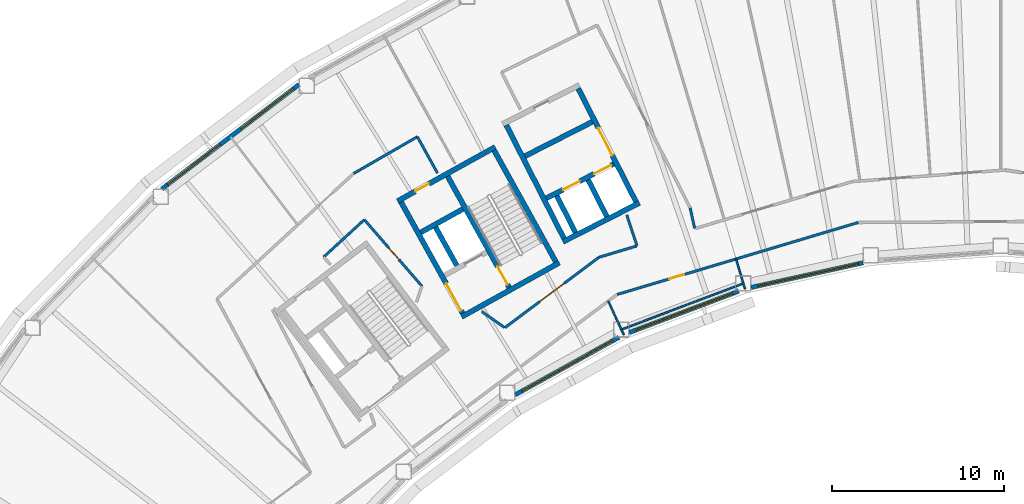
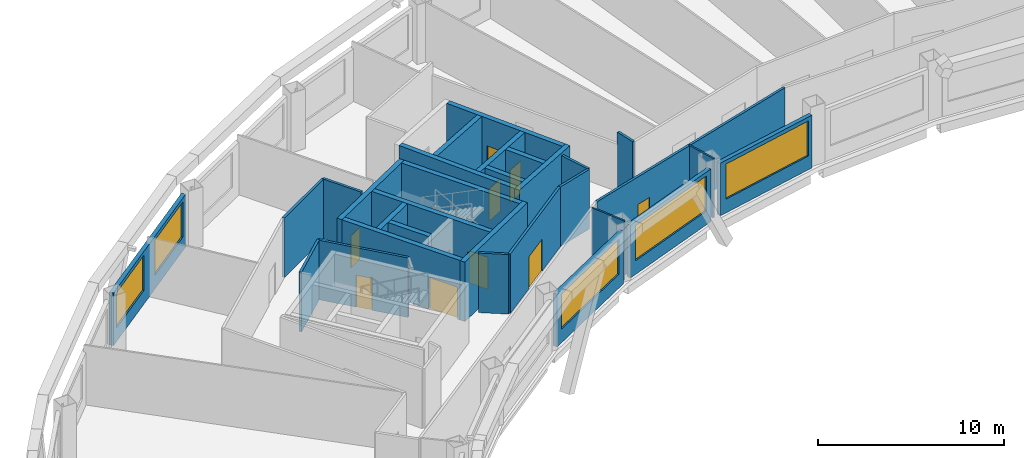
# One storey, part 6 of 16: 31 walls, 9 doors, 5 windows, 14 openings.
"""IFC4 building model written with IfcOpenShell, lengths in metres."""

from ifc_helpers import new_model, si_unit, direction, frame, frame_2d, origin, place, context, subcontext, project, spatial, rectangle, extrude, material, layer, layer_set, type_object, element, fill, save


model = new_model("IFC4")

# Units and contexts
model_context = context("Model", 3, precision=1e-05, world=origin(), true_north=direction((0.0, 1.0)))
body_context = subcontext(model_context, "Body", "Model", "MODEL_VIEW")
ifc_project = project(units=[si_unit("LENGTHUNIT", "METRE"), si_unit("AREAUNIT", "SQUARE_METRE"), si_unit("VOLUMEUNIT", "CUBIC_METRE"), si_unit("PLANEANGLEUNIT", "RADIAN"), si_unit("MASSUNIT", "GRAM", prefix="KILO")], contexts=[model_context])

# Site, building, storey
site_placement = place(None, origin())
site = spatial("IfcSite", under=ifc_project, at=site_placement, CompositionType="ELEMENT")
building_placement = place(site_placement, origin())
building = spatial("IfcBuilding", under=site, at=building_placement, Name="Tuul Gate Civic Tower", CompositionType="ELEMENT")
storey_placement = place(building_placement, frame((0.0, 0.0, 184.699951171875)))
storey = spatial("IfcBuildingStorey", under=building, at=storey_placement, Name="Level 42", CompositionType="ELEMENT", Elevation=184.699951171875)

# Walls
ifc_material_1 = material(Name="Concrete C50/60", Category="concrete")
ifc_layer_1 = layer(ifc_material_1, 0.300048828125)
ifc_layer_set_1 = layer_set([ifc_layer_1], Name="Concrete C50/60")
wall_type_1 = type_object("IfcWallType", Name="Core wall C50/60", PredefinedType="SHEAR", material=ifc_layer_set_1)
wall_1_placement = place(storey_placement, frame((-24.711669921875, -8.7158203125, 0.0), z_axis=(0.0, 0.0, 1.0), x_axis=(-0.874629909008, -0.484791215132, 0.0)))
element("IfcWall", 1, at=wall_1_placement, inside=storey, type_object=wall_type_1, Name="Core wall", PredefinedType="SHEAR", context=body_context, shape_type="SweptSolid", body=[
    extrude(rectangle(XDim=6.5, YDim=0.300048828125, at=frame_2d((3.25, 0.0))), origin(), (0.0, 0.0, 1.0), 3.900146484375),
])
wall_2_placement = place(storey_placement, frame((-30.327392578125, -5.59716796875, 0.0), z_axis=(0.0, 0.0, 1.0), x_axis=(-0.874629840737, -0.484791338301, 0.0)))
element("IfcWall", 2, at=wall_2_placement, inside=storey, type_object=wall_type_1, Name="Core wall", PredefinedType="SHEAR", context=body_context, shape_type="SweptSolid", body=[
    extrude(rectangle(XDim=2.800048828125, YDim=0.300048828125, at=frame_2d((1.39990234375, 0.0))), origin(), (0.0, 0.0, 1.0), 3.900146484375),
])

# Wall, opening, door
wall_3_placement = place(storey_placement, frame((-28.4443359375, -1.98095703125, 0.0), z_axis=(0.0, 0.0, 1.0), x_axis=(-0.874629909008, -0.484791215132, 0.0)))
wall_3 = element("IfcWall", 3, at=wall_3_placement, inside=storey, type_object=wall_type_1, Name="Core wall", PredefinedType="SHEAR", context=body_context, shape_type="SweptSolid", body=[
    extrude(rectangle(XDim=6.5, YDim=0.300048828125, at=frame_2d((3.25, 0.0))), origin(), (0.0, 0.0, 1.0), 3.900146484375),
])
opening_1_placement = place(wall_3_placement, frame((4.425048828125, 0.0, 0.0)))
opening_1 = element("IfcOpeningElement", 4, at=opening_1_placement, cuts=wall_3, Name="Opening O-D26", PredefinedType="OPENING", context=body_context, shape_type="SweptSolid", body=[
    extrude(rectangle(XDim=0.89990234375, YDim=2.10009765625, at=frame_2d((0.449951171875, 1.050048828125))), frame((0.0, 0.16015625, 0.0), z_axis=(0.0, -1.0, 0.0), x_axis=(1.0, 0.0, 0.0)), (0.0, 0.0, 1.0), 0.320068359375),
])
ifc_material_2 = material(Name="Timber door leaf", Category="wood")
door_type_1 = type_object("IfcDoorType", Name="Door D09", OperationType="NOTDEFINED", PredefinedType="DOOR", material=ifc_material_2)
door_1_placement = place(opening_1_placement, origin())
door_1 = element("IfcDoor", 5, at=door_1_placement, inside=storey, type_object=door_type_1, Name="Door O-D26", OperationType="SINGLE_SWING_LEFT", OverallHeight=2.10009765625, OverallWidth=0.89990234375, PredefinedType="DOOR", context=body_context, shape_type="SweptSolid", body=[
    extrude(rectangle(XDim=0.89990234375, YDim=2.10009765625, at=frame_2d((0.449951171875, 1.050048828125))), frame((0.0, 0.02490234375, 0.0), z_axis=(0.0, -1.0, 0.0), x_axis=(1.0, 0.0, 0.0)), (0.0, 0.0, 1.0), 0.050048828125),
])
fill(opening_1, door_1)

# Wall
wall_4_placement = place(storey_placement, frame((-24.91552734375, -8.6572265625, 0.0), z_axis=(0.0, 0.0, 1.0), x_axis=(-0.484777133038, 0.874637714304, 0.0)))
element("IfcWall", 6, at=wall_4_placement, inside=storey, type_object=wall_type_1, Name="Core wall", PredefinedType="SHEAR", context=body_context, shape_type="SweptSolid", body=[
    extrude(rectangle(XDim=7.400146484375, YDim=0.300048828125, at=frame_2d((3.7001953125, 0.0))), origin(), (0.0, 0.0, 1.0), 3.900146484375),
])

# Wall, opening, door
wall_5_placement = place(storey_placement, frame((-27.626953125, -10.16015625, 0.0), z_axis=(0.0, 0.0, 1.0), x_axis=(-0.484751894226, 0.874651702704, 0.0)))
wall_5 = element("IfcWall", 7, at=wall_5_placement, inside=storey, type_object=wall_type_1, Name="Core wall", PredefinedType="SHEAR", context=body_context, shape_type="SweptSolid", body=[
    extrude(rectangle(XDim=7.39990234375, YDim=0.300048828125, at=frame_2d((3.699951171875, 0.0))), origin(), (0.0, 0.0, 1.0), 3.900146484375),
])
opening_2_placement = place(wall_5_placement, frame((0.199951171875, 0.0, 0.0)))
opening_2 = element("IfcOpeningElement", 8, at=opening_2_placement, cuts=wall_5, Name="Opening SD-ST-2", PredefinedType="OPENING", context=body_context, shape_type="SweptSolid", body=[
    extrude(rectangle(XDim=1.199951171875, YDim=2.10009765625, at=frame_2d((0.60009765625, 1.050048828125))), frame((0.0, 0.16015625, 0.0), z_axis=(0.0, -1.0, 0.0), x_axis=(1.0, 0.0, 0.0)), (0.0, 0.0, 1.0), 0.320068359375),
])
ifc_material_3 = material(Name="Steel", Category="steel")
door_type_2 = type_object("IfcDoorType", Name="Stair door", OperationType="NOTDEFINED", PredefinedType="DOOR", material=ifc_material_3)
door_2_placement = place(opening_2_placement, origin())
door_2 = element("IfcDoor", 9, at=door_2_placement, inside=storey, type_object=door_type_2, Name="Stair door ST-2", OperationType="SINGLE_SWING_LEFT", OverallHeight=2.10009765625, OverallWidth=1.199951171875, PredefinedType="DOOR", context=body_context, shape_type="SweptSolid", body=[
    extrude(rectangle(XDim=1.199951171875, YDim=2.10009765625, at=frame_2d((0.60009765625, 1.050048828125))), frame((0.0, 0.02490234375, 0.0), z_axis=(0.0, -1.0, 0.0), x_axis=(1.0, 0.0, 0.0)), (0.0, 0.0, 1.0), 0.050048828125),
])
fill(opening_2, door_2)

# Wall
wall_6_placement = place(storey_placement, frame((-30.680419921875, -8.8798828125, 0.0), z_axis=(0.0, 0.0, 1.0), x_axis=(-0.484724115216, 0.874667097888, 0.0)))
element("IfcWall", 10, at=wall_6_placement, inside=storey, type_object=wall_type_1, Name="Core wall", PredefinedType="SHEAR", context=body_context, shape_type="SweptSolid", body=[
    extrude(rectangle(XDim=2.550048828125, YDim=0.300048828125, at=frame_2d((1.27490234375, 0.0))), origin(), (0.0, 0.0, 1.0), 3.900146484375),
])

# Wall, opening, door
wall_7_placement = place(storey_placement, frame((-30.33837890625, -11.6630859375, 0.0), z_axis=(0.0, 0.0, 1.0), x_axis=(-0.484751894226, 0.874651702704, 0.0)))
wall_7 = element("IfcWall", 11, at=wall_7_placement, inside=storey, type_object=wall_type_1, Name="Core wall", PredefinedType="SHEAR", context=body_context, shape_type="SweptSolid", body=[
    extrude(rectangle(XDim=7.39990234375, YDim=0.300048828125, at=frame_2d((3.699951171875, 0.0))), origin(), (0.0, 0.0, 1.0), 3.900146484375),
])
opening_3_placement = place(wall_7_placement, frame((0.175048828125, 0.0, 0.0)))
opening_3 = element("IfcOpeningElement", 12, at=opening_3_placement, cuts=wall_7, Name="Opening LB-W2-FLOBBY-1", PredefinedType="OPENING", context=body_context, shape_type="SweptSolid", body=[
    extrude(rectangle(XDim=1.800048828125, YDim=2.10009765625, at=frame_2d((0.89990234375, 1.050048828125))), frame((0.0, 0.16015625, 0.0), z_axis=(0.0, -1.0, 0.0), x_axis=(1.0, 0.0, 0.0)), (0.0, 0.0, 1.0), 0.320068359375),
])
ifc_material_4 = material(Name="Steel", Category="steel")
door_type_3 = type_object("IfcDoorType", Name="Lobby door", OperationType="DOUBLE_DOOR_SINGLE_SWING", PredefinedType="DOOR", material=ifc_material_4)
door_3_placement = place(opening_3_placement, frame((1.800048828125, 0.0, 0.0), z_axis=(0.0, 0.0, 1.0), x_axis=(-1.0, 0.0, 0.0)))
door_3 = element("IfcDoor", 13, at=door_3_placement, inside=storey, type_object=door_type_3, Name="Lobby door W2-FLOBBY", OperationType="DOUBLE_DOOR_SINGLE_SWING", OverallHeight=2.10009765625, OverallWidth=1.800048828125, PredefinedType="DOOR", context=body_context, shape_type="SweptSolid", body=[
    extrude(rectangle(XDim=1.800048828125, YDim=2.10009765625, at=frame_2d((0.900146484375, 1.050048828125))), frame((0.0, 0.02490234375, 0.0), z_axis=(0.0, -1.0, 0.0), x_axis=(1.0, 0.0, 0.0)), (0.0, 0.0, 1.0), 0.050048828125),
])
fill(opening_3, door_3)

# Walls
ifc_material_5 = material(Name="Gypsum board partition")
ifc_layer_2 = layer(ifc_material_5, 0.14990234375)
ifc_layer_set_2 = layer_set([ifc_layer_2], Name="Gypsum board partition")
wall_type_2 = type_object("IfcWallType", Name="Corridor wall P150", PredefinedType="PARTITIONING", material=ifc_layer_set_2)
wall_8_placement = place(storey_placement, frame((-22.3984375, -8.3994140625, 0.0), z_axis=(0.0, 0.0, 1.0), x_axis=(0.958110373466, 0.286399218323, 0.0)))
element("IfcWall", 14, at=wall_8_placement, inside=storey, type_object=wall_type_2, Name="p038", PredefinedType="PARTITIONING", context=body_context, shape_type="SweptSolid", body=[
    extrude(rectangle(XDim=2.29052734375, YDim=0.14990234375, at=frame_2d((1.145263671875, 0.0))), origin(), (0.0, 0.0, 1.0), 3.900146484375),
])
wall_9_placement = place(storey_placement, frame((-17.09326171875, -5.527099609375, 0.0), z_axis=(0.0, 0.0, 1.0), x_axis=(0.214248284718, -0.976779234267, 0.0)))
element("IfcWall", 15, at=wall_9_placement, inside=storey, type_object=wall_type_2, Name="p043", PredefinedType="PARTITIONING", context=body_context, shape_type="SweptSolid", body=[
    extrude(rectangle(XDim=1.21484375, YDim=0.14990234375, at=frame_2d((0.607421875, 0.0))), origin(), (0.0, 0.0, 1.0), 3.900146484375),
])
wall_10_placement = place(storey_placement, frame((-20.781005859375, -5.94189453125, 0.0), z_axis=(0.0, 0.0, 1.0), x_axis=(0.315405870294, -0.948956867821, 0.0)))
element("IfcWall", 16, at=wall_10_placement, inside=storey, type_object=wall_type_2, Name="p048", PredefinedType="PARTITIONING", context=body_context, shape_type="SweptSolid", body=[
    extrude(rectangle(XDim=1.87158203125, YDim=0.14990234375, at=frame_2d((0.935791015625, 0.0))), origin(), (0.0, 0.0, 1.0), 3.900146484375),
])

# Wall, opening, door
wall_11_placement = place(storey_placement, frame((-27.875, -12.496337890625, 0.0), z_axis=(0.0, 0.0, 1.0), x_axis=(0.800736165512, 0.599017189437, 0.0)))
wall_11 = element("IfcWall", 17, at=wall_11_placement, inside=storey, type_object=wall_type_2, Name="p051", PredefinedType="PARTITIONING", context=body_context, shape_type="SweptSolid", body=[
    extrude(rectangle(XDim=6.83935546875, YDim=0.14990234375, at=frame_2d((3.419677734375, 0.0))), origin(), (0.0, 0.0, 1.0), 3.900146484375),
])
opening_4_placement = place(wall_11_placement, frame((2.519775390625, 0.0, 0.0)))
opening_4 = element("IfcOpeningElement", 18, at=opening_4_placement, cuts=wall_11, Name="Opening O-D15", PredefinedType="OPENING", context=body_context, shape_type="SweptSolid", body=[
    extrude(rectangle(XDim=1.800048828125, YDim=2.10009765625, at=frame_2d((0.89990234375, 1.050048828125))), frame((0.0, 0.0849609375, 0.0), z_axis=(0.0, -1.0, 0.0), x_axis=(1.0, 0.0, 0.0)), (0.0, 0.0, 1.0), 0.169921875),
])
ifc_material_6 = material(Name="Timber door leaf, double", Category="wood")
door_type_4 = type_object("IfcDoorType", Name="Door D18", OperationType="DOUBLE_DOOR_SINGLE_SWING", PredefinedType="DOOR", material=ifc_material_6)
door_4_placement = place(opening_4_placement, origin())
door_4 = element("IfcDoor", 19, at=door_4_placement, inside=storey, type_object=door_type_4, Name="Door O-D15", OperationType="DOUBLE_DOOR_SINGLE_SWING", OverallHeight=2.10009765625, OverallWidth=1.800048828125, PredefinedType="DOOR", context=body_context, shape_type="SweptSolid", body=[
    extrude(rectangle(XDim=1.800048828125, YDim=2.10009765625, at=frame_2d((0.89990234375, 1.050048828125))), frame((0.0, 0.02490234375, 0.0), z_axis=(0.0, -1.0, 0.0), x_axis=(1.0, 0.0, 0.0)), (0.0, 0.0, 1.0), 0.050048828125),
])
fill(opening_4, door_4)

# Walls
wall_12_placement = place(storey_placement, frame((-29.22509765625, -11.560302734375, 0.0), z_axis=(0.0, 0.0, 1.0), x_axis=(0.818164960275, -0.57498356305, 0.0)))
element("IfcWall", 20, at=wall_12_placement, inside=storey, type_object=wall_type_2, Name="p052", PredefinedType="PARTITIONING", context=body_context, shape_type="SweptSolid", body=[
    extrude(rectangle(XDim=1.62548828125, YDim=0.14990234375, at=frame_2d((0.812744140625, 0.0))), origin(), (0.0, 0.0, 1.0), 3.900146484375),
])
wall_13_placement = place(storey_placement, frame((-32.97705078125, -1.38330078125, 0.0), z_axis=(0.0, 0.0, 1.0), x_axis=(0.484666108147, -0.874699241805, 0.0)))
element("IfcWall", 21, at=wall_13_placement, inside=storey, type_object=wall_type_2, Name="p054", PredefinedType="PARTITIONING", context=body_context, shape_type="SweptSolid", body=[
    extrude(rectangle(XDim=2.419921875, YDim=0.14990234375, at=frame_2d((1.2099609375, 0.0))), origin(), (0.0, 0.0, 1.0), 3.900146484375),
])
wall_14_placement = place(storey_placement, frame((-36.682861328125, -3.5205078125, 0.0), z_axis=(0.0, 0.0, 1.0), x_axis=(0.866195088107, 0.499705982893, 0.0)))
element("IfcWall", 22, at=wall_14_placement, inside=storey, type_object=wall_type_2, Name="p055", PredefinedType="PARTITIONING", context=body_context, shape_type="SweptSolid", body=[
    extrude(rectangle(XDim=4.27734375, YDim=0.14990234375, at=frame_2d((2.138671875, 0.0))), origin(), (0.0, 0.0, 1.0), 3.900146484375),
])

# Wall, opening, door
wall_15_placement = place(storey_placement, frame((-21.347900390625, -10.5673828125, 0.0), z_axis=(0.0, 0.0, 1.0), x_axis=(0.958201559869, 0.286093989214, 0.0)))
wall_15 = element("IfcWall", 23, at=wall_15_placement, inside=storey, type_object=wall_type_2, Name="p062", PredefinedType="PARTITIONING", context=body_context, shape_type="SweptSolid", body=[
    extrude(rectangle(XDim=14.650390625, YDim=0.14990234375, at=frame_2d((7.3251953125, 0.0))), origin(), (0.0, 0.0, 1.0), 3.900146484375),
])
opening_5_placement = place(wall_15_placement, frame((3.165283203125, 0.0, 0.0)))
opening_5 = element("IfcOpeningElement", 24, at=opening_5_placement, cuts=wall_15, Name="Opening O-D20", PredefinedType="OPENING", context=body_context, shape_type="SweptSolid", body=[
    extrude(rectangle(XDim=0.89990234375, YDim=2.10009765625, at=frame_2d((0.449951171875, 1.050048828125))), frame((0.0, 0.0849609375, 0.0), z_axis=(0.0, -1.0, 0.0), x_axis=(1.0, 0.0, 0.0)), (0.0, 0.0, 1.0), 0.169921875),
])
door_5_placement = place(opening_5_placement, frame((0.89990234375, 0.0, 0.0), z_axis=(0.0, 0.0, 1.0), x_axis=(-1.0, 0.0, 0.0)))
door_5 = element("IfcDoor", 25, at=door_5_placement, inside=storey, type_object=door_type_1, Name="Door O-D20", OperationType="SINGLE_SWING_LEFT", OverallHeight=2.10009765625, OverallWidth=0.89990234375, PredefinedType="DOOR", context=body_context, shape_type="SweptSolid", body=[
    extrude(rectangle(XDim=0.89990234375, YDim=2.10009765625, at=frame_2d((0.449951171875, 1.050048828125))), frame((0.0, 0.02490234375, 0.0), z_axis=(0.0, -1.0, 0.0), x_axis=(1.0, 0.0, 0.0)), (0.0, 0.0, 1.0), 0.050048828125),
])
fill(opening_5, door_5)

wall_16_placement = place(storey_placement, frame((-36.064208984375, -6.21044921875, 0.0), z_axis=(0.0, 0.0, 1.0), x_axis=(0.654790642305, -0.755810303416, 0.0)))
wall_16 = element("IfcWall", 26, at=wall_16_placement, inside=storey, type_object=wall_type_2, Name="p067", PredefinedType="PARTITIONING", context=body_context, shape_type="SweptSolid", body=[
    extrude(rectangle(XDim=5.1162109375, YDim=0.14990234375, at=frame_2d((2.55810546875, 0.0))), origin(), (0.0, 0.0, 1.0), 3.900146484375),
])
opening_6_placement = place(wall_16_placement, frame((2.1748046875, 0.0, 0.0)))
opening_6 = element("IfcOpeningElement", 27, at=opening_6_placement, cuts=wall_16, Name="Opening O-D22", PredefinedType="OPENING", context=body_context, shape_type="SweptSolid", body=[
    extrude(rectangle(XDim=0.89990234375, YDim=2.10009765625, at=frame_2d((0.449951171875, 1.050048828125))), frame((0.0, 0.0849609375, 0.0), z_axis=(0.0, -1.0, 0.0), x_axis=(1.0, 0.0, 0.0)), (0.0, 0.0, 1.0), 0.169921875),
])
door_6_placement = place(opening_6_placement, origin())
door_6 = element("IfcDoor", 28, at=door_6_placement, inside=storey, type_object=door_type_1, Name="Door O-D22", OperationType="SINGLE_SWING_RIGHT", OverallHeight=2.10009765625, OverallWidth=0.89990234375, PredefinedType="DOOR", context=body_context, shape_type="SweptSolid", body=[
    extrude(rectangle(XDim=0.89990234375, YDim=2.10009765625, at=frame_2d((0.449951171875, 1.050048828125))), frame((0.0, 0.02490234375, 0.0), z_axis=(0.0, -1.0, 0.0), x_axis=(1.0, 0.0, 0.0)), (0.0, 0.0, 1.0), 0.050048828125),
])
fill(opening_6, door_6)

# Wall
wall_17_placement = place(storey_placement, frame((-38.436279296875, -8.38818359375, 0.0), z_axis=(0.0, 0.0, 1.0), x_axis=(0.736637797487, 0.676287479784, 0.0)))
element("IfcWall", 29, at=wall_17_placement, inside=storey, type_object=wall_type_2, Name="p070", PredefinedType="PARTITIONING", context=body_context, shape_type="SweptSolid", body=[
    extrude(rectangle(XDim=3.22021484375, YDim=0.14990234375, at=frame_2d((1.610107421875, 0.0))), origin(), (0.0, 0.0, 1.0), 3.900146484375),
])

# Wall, openings, windows
ifc_material_7 = material(Name="Precast concrete C40/50", Category="concrete")
ifc_layer_3 = layer(ifc_material_7, 0.25)
ifc_layer_set_3 = layer_set([ifc_layer_3], Name="Precast concrete C40/50")
wall_type_3 = type_object("IfcWallType", Name="External wall", PredefinedType="STANDARD", material=ifc_layer_set_3)
wall_18_placement = place(storey_placement, frame((-39.862060546875, 1.659423828125, 0.0), z_axis=(0.0, 0.0, 1.0), x_axis=(-0.795600211162, -0.605822006862, 0.0)))
wall_18 = element("IfcWall", 30, at=wall_18_placement, inside=storey, type_object=wall_type_3, Name="External wall", PredefinedType="STANDARD", context=body_context, shape_type="SweptSolid", body=[
    extrude(rectangle(XDim=10.043212890625, YDim=0.25, at=frame_2d((5.021484375, 0.0))), origin(), (0.0, 0.0, 1.0), 3.449951171875),
])
opening_7_placement = place(wall_18_placement, frame((0.410400390625, 0.0, 0.89990234375)))
opening_7 = element("IfcOpeningElement", 31, at=opening_7_placement, cuts=wall_18, Name="Opening W22", PredefinedType="OPENING", context=body_context, shape_type="SweptSolid", body=[
    extrude(rectangle(XDim=3.85009765625, YDim=2.300048828125, at=frame_2d((1.925048828125, 1.14990234375))), frame((0.0, 0.135009765625, 0.0), z_axis=(0.0, -1.0, 0.0), x_axis=(1.0, 0.0, 0.0)), (0.0, 0.0, 1.0), 0.27001953125),
])
opening_8_placement = place(wall_18_placement, frame((5.78173828125, 0.0, 0.89990234375)))
opening_8 = element("IfcOpeningElement", 32, at=opening_8_placement, cuts=wall_18, Name="Opening W22", PredefinedType="OPENING", context=body_context, shape_type="SweptSolid", body=[
    extrude(rectangle(XDim=3.85009765625, YDim=2.300048828125, at=frame_2d((1.925048828125, 1.14990234375))), frame((0.0, 0.135009765625, 0.0), z_axis=(0.0, -1.0, 0.0), x_axis=(1.0, 0.0, 0.0)), (0.0, 0.0, 1.0), 0.27001953125),
])
ifc_material_8 = material(Name="Glass", Category="glass")
window_type_1 = type_object("IfcWindowType", Name="Window W22 3850 x 2300", PartitioningType="SINGLE_PANEL", PredefinedType="WINDOW", material=ifc_material_8)
window_1_placement = place(opening_7_placement, origin())
window_1 = element("IfcWindow", 33, at=window_1_placement, inside=storey, type_object=window_type_1, Name="Window", OverallHeight=2.300048828125, OverallWidth=3.85009765625, PartitioningType="SINGLE_PANEL", PredefinedType="WINDOW", context=body_context, shape_type="SweptSolid", body=[
    extrude(rectangle(XDim=3.85009765625, YDim=2.300048828125, at=frame_2d((1.925048828125, 1.14990234375))), frame((0.0, 0.030029296875, 0.0), z_axis=(0.0, -1.0, 0.0), x_axis=(1.0, 0.0, 0.0)), (0.0, 0.0, 1.0), 0.06005859375),
])
fill(opening_7, window_1)
window_2_placement = place(opening_8_placement, origin())
window_2 = element("IfcWindow", 34, at=window_2_placement, inside=storey, type_object=window_type_1, Name="Window", OverallHeight=2.300048828125, OverallWidth=3.85009765625, PartitioningType="SINGLE_PANEL", PredefinedType="WINDOW", context=body_context, shape_type="SweptSolid", body=[
    extrude(rectangle(XDim=3.85009765625, YDim=2.300048828125, at=frame_2d((1.925048828125, 1.14990234375))), frame((0.0, 0.030029296875, 0.0), z_axis=(0.0, -1.0, 0.0), x_axis=(1.0, 0.0, 0.0)), (0.0, 0.0, 1.0), 0.06005859375),
])
fill(opening_8, window_2)

# Wall, opening, window
wall_19_placement = place(storey_placement, frame((-27.287109375, -16.41064453125, 0.0), z_axis=(0.0, 0.0, 1.0), x_axis=(0.874626480016, 0.484797401452, 0.0)))
wall_19 = element("IfcWall", 35, at=wall_19_placement, inside=storey, type_object=wall_type_3, Name="External wall", PredefinedType="STANDARD", context=body_context, shape_type="SweptSolid", body=[
    extrude(rectangle(XDim=6.915283203125, YDim=0.25, at=frame_2d((3.45751953125, 0.0))), origin(), (0.0, 0.0, 1.0), 3.449951171875),
])
opening_9_placement = place(wall_19_placement, frame((0.4619140625, 0.0, 0.89990234375)))
opening_9 = element("IfcOpeningElement", 36, at=opening_9_placement, cuts=wall_19, Name="Opening W26", PredefinedType="OPENING", context=body_context, shape_type="SweptSolid", body=[
    extrude(rectangle(XDim=6.0, YDim=2.300048828125, at=frame_2d((3.0, 1.14990234375))), frame((0.0, 0.135009765625, 0.0), z_axis=(0.0, -1.0, 0.0), x_axis=(1.0, 0.0, 0.0)), (0.0, 0.0, 1.0), 0.27001953125),
])
ifc_material_9 = material(Name="Glass", Category="glass")
window_type_2 = type_object("IfcWindowType", Name="Window W26 6000 x 2300", PartitioningType="SINGLE_PANEL", PredefinedType="WINDOW", material=ifc_material_9)
window_3_placement = place(opening_9_placement, origin())
window_3 = element("IfcWindow", 37, at=window_3_placement, inside=storey, type_object=window_type_2, Name="Window", OverallHeight=2.300048828125, OverallWidth=6.0, PartitioningType="SINGLE_PANEL", PredefinedType="WINDOW", context=body_context, shape_type="SweptSolid", body=[
    extrude(rectangle(XDim=6.0, YDim=2.300048828125, at=frame_2d((3.0, 1.14990234375))), frame((0.0, 0.030029296875, 0.0), z_axis=(0.0, -1.0, 0.0), x_axis=(1.0, 0.0, 0.0)), (0.0, 0.0, 1.0), 0.06005859375),
])
fill(opening_9, window_3)

wall_20_placement = place(storey_placement, frame((-20.64697265625, -12.78515625, 0.0), z_axis=(0.0, 0.0, 1.0), x_axis=(0.935360534404, 0.353695731779, 0.0)))
wall_20 = element("IfcWall", 38, at=wall_20_placement, inside=storey, type_object=wall_type_3, Name="External wall", PredefinedType="STANDARD", context=body_context, shape_type="SweptSolid", body=[
    extrude(rectangle(XDim=6.81982421875, YDim=0.25, at=frame_2d((3.409912109375, 0.0))), origin(), (0.0, 0.0, 1.0), 3.449951171875),
])
opening_10_placement = place(wall_20_placement, frame((0.43798828125, 0.0, 0.89990234375)))
opening_10 = element("IfcOpeningElement", 39, at=opening_10_placement, cuts=wall_20, Name="Opening W26", PredefinedType="OPENING", context=body_context, shape_type="SweptSolid", body=[
    extrude(rectangle(XDim=6.0, YDim=2.300048828125, at=frame_2d((3.0, 1.14990234375))), frame((0.0, 0.135009765625, 0.0), z_axis=(0.0, -1.0, 0.0), x_axis=(1.0, 0.0, 0.0)), (0.0, 0.0, 1.0), 0.27001953125),
])
window_4_placement = place(opening_10_placement, origin())
window_4 = element("IfcWindow", 40, at=window_4_placement, inside=storey, type_object=window_type_2, Name="Window", OverallHeight=2.300048828125, OverallWidth=6.0, PartitioningType="SINGLE_PANEL", PredefinedType="WINDOW", context=body_context, shape_type="SweptSolid", body=[
    extrude(rectangle(XDim=6.0, YDim=2.300048828125, at=frame_2d((3.0, 1.14990234375))), frame((0.0, 0.030029296875, 0.0), z_axis=(0.0, -1.0, 0.0), x_axis=(1.0, 0.0, 0.0)), (0.0, 0.0, 1.0), 0.06005859375),
])
fill(opening_10, window_4)

wall_21_placement = place(storey_placement, frame((-13.5458984375, -10.15625, 0.0), z_axis=(0.0, 0.0, 1.0), x_axis=(0.976558520258, 0.21525207667, 0.0)))
wall_21 = element("IfcWall", 41, at=wall_21_placement, inside=storey, type_object=wall_type_3, Name="External wall", PredefinedType="STANDARD", context=body_context, shape_type="SweptSolid", body=[
    extrude(rectangle(XDim=6.670166015625, YDim=0.25, at=frame_2d((3.3349609375, 0.0))), origin(), (0.0, 0.0, 1.0), 3.449951171875),
])
opening_11_placement = place(wall_21_placement, frame((0.406982421875, 0.0, 0.89990234375)))
opening_11 = element("IfcOpeningElement", 42, at=opening_11_placement, cuts=wall_21, Name="Opening W26", PredefinedType="OPENING", context=body_context, shape_type="SweptSolid", body=[
    extrude(rectangle(XDim=6.0, YDim=2.300048828125, at=frame_2d((3.0, 1.14990234375))), frame((0.0, 0.135009765625, 0.0), z_axis=(0.0, -1.0, 0.0), x_axis=(1.0, 0.0, 0.0)), (0.0, 0.0, 1.0), 0.27001953125),
])
window_5_placement = place(opening_11_placement, origin())
window_5 = element("IfcWindow", 43, at=window_5_placement, inside=storey, type_object=window_type_2, Name="Window", OverallHeight=2.300048828125, OverallWidth=6.0, PartitioningType="SINGLE_PANEL", PredefinedType="WINDOW", context=body_context, shape_type="SweptSolid", body=[
    extrude(rectangle(XDim=6.0, YDim=2.300048828125, at=frame_2d((3.0, 1.14990234375))), frame((0.0, 0.030029296875, 0.0), z_axis=(0.0, -1.0, 0.0), x_axis=(1.0, 0.0, 0.0)), (0.0, 0.0, 1.0), 0.06005859375),
])
fill(opening_11, window_5)

# Wall
ifc_material_10 = material(Name="Concrete C40/50", Category="concrete")
ifc_layer_4 = layer(ifc_material_10, 0.300048828125)
ifc_layer_set_4 = layer_set([ifc_layer_4], Name="Concrete C40/50")
wall_type_4 = type_object("IfcWallType", Name="Lift shaft wall C40/50", PredefinedType="STANDARD", material=ifc_layer_set_4)
wall_22_placement = place(storey_placement, frame((-20.049072265625, -5.232421875, 0.0), z_axis=(0.0, 0.0, 1.0), x_axis=(-0.891002976909, -0.453997461601, 0.0)))
element("IfcWall", 44, at=wall_22_placement, inside=storey, type_object=wall_type_4, Name="Shaft wall", PredefinedType="STANDARD", context=body_context, shape_type="SweptSolid", body=[
    extrude(rectangle(XDim=5.0, YDim=0.300048828125, at=frame_2d((2.5, 0.0))), origin(), (0.0, 0.0, 1.0), 3.900146484375),
])

# Wall, openings, doors
wall_23_placement = place(storey_placement, frame((-21.542236328125, -2.962890625, 0.0), z_axis=(0.0, 0.0, 1.0), x_axis=(-0.891005618941, -0.453992276384, 0.0)))
wall_23 = element("IfcWall", 45, at=wall_23_placement, inside=storey, type_object=wall_type_4, Name="Shaft wall", PredefinedType="STANDARD", context=body_context, shape_type="SweptSolid", body=[
    extrude(rectangle(XDim=4.39990234375, YDim=0.300048828125, at=frame_2d((2.199951171875, 0.0))), origin(), (0.0, 0.0, 1.0), 3.900146484375),
])
opening_12_placement = place(wall_23_placement, frame((0.175048828125, 0.0, 0.0)))
opening_12 = element("IfcOpeningElement", 46, at=opening_12_placement, cuts=wall_23, Name="Opening LD-M1", PredefinedType="OPENING", context=body_context, shape_type="SweptSolid", body=[
    extrude(rectangle(XDim=1.10009765625, YDim=2.10009765625, at=frame_2d((0.550048828125, 1.050048828125))), frame((0.0, 0.16015625, 0.0), z_axis=(0.0, -1.0, 0.0), x_axis=(1.0, 0.0, 0.0)), (0.0, 0.0, 1.0), 0.320068359375),
])
opening_13_placement = place(wall_23_placement, frame((2.22509765625, 0.0, 0.0)))
opening_13 = element("IfcOpeningElement", 47, at=opening_13_placement, cuts=wall_23, Name="Opening LD-M2", PredefinedType="OPENING", context=body_context, shape_type="SweptSolid", body=[
    extrude(rectangle(XDim=1.10009765625, YDim=2.10009765625, at=frame_2d((0.550048828125, 1.050048828125))), frame((0.0, 0.16015625, 0.0), z_axis=(0.0, -1.0, 0.0), x_axis=(1.0, 0.0, 0.0)), (0.0, 0.0, 1.0), 0.320068359375),
])
ifc_material_11 = material(Name="Stainless steel", Category="steel")
door_type_5 = type_object("IfcDoorType", Name="Landing door", OperationType="DOUBLE_DOOR_SLIDING", PredefinedType="DOOR", material=ifc_material_11)
door_7_placement = place(opening_12_placement, origin())
door_7 = element("IfcDoor", 48, at=door_7_placement, inside=storey, type_object=door_type_5, Name="Mid-rise lift M1 landing door", OperationType="DOUBLE_DOOR_SLIDING", OverallHeight=2.10009765625, OverallWidth=1.10009765625, PredefinedType="DOOR", context=body_context, shape_type="SweptSolid", body=[
    extrude(rectangle(XDim=1.10009765625, YDim=2.10009765625, at=frame_2d((0.550048828125, 1.050048828125))), frame((0.0, 0.02490234375, 0.0), z_axis=(0.0, -1.0, 0.0), x_axis=(1.0, 0.0, 0.0)), (0.0, 0.0, 1.0), 0.050048828125),
])
fill(opening_12, door_7)
door_8_placement = place(opening_13_placement, origin())
door_8 = element("IfcDoor", 49, at=door_8_placement, inside=storey, type_object=door_type_5, Name="Mid-rise lift M2 landing door", OperationType="DOUBLE_DOOR_SLIDING", OverallHeight=2.10009765625, OverallWidth=1.10009765625, PredefinedType="DOOR", context=body_context, shape_type="SweptSolid", body=[
    extrude(rectangle(XDim=1.10009765625, YDim=2.10009765625, at=frame_2d((0.550048828125, 1.050048828125))), frame((0.0, 0.02490234375, 0.0), z_axis=(0.0, -1.0, 0.0), x_axis=(1.0, 0.0, 0.0)), (0.0, 0.0, 1.0), 0.050048828125),
])
fill(opening_13, door_8)

# Wall
wall_24_placement = place(storey_placement, frame((-22.790771484375, -0.5126953125, 0.0), z_axis=(0.0, 0.0, 1.0), x_axis=(-0.891005618941, -0.453992276384, 0.0)))
element("IfcWall", 50, at=wall_24_placement, inside=storey, type_object=wall_type_4, Name="Shaft wall", PredefinedType="STANDARD", context=body_context, shape_type="SweptSolid", body=[
    extrude(rectangle(XDim=4.39990234375, YDim=0.300048828125, at=frame_2d((2.199951171875, 0.0))), origin(), (0.0, 0.0, 1.0), 3.900146484375),
])

# Wall, opening, door
wall_25_placement = place(storey_placement, frame((-20.2509765625, -5.166748046875, 0.0), z_axis=(0.0, 0.0, 1.0), x_axis=(-0.45401029361, 0.89099643843, 0.0)))
wall_25 = element("IfcWall", 51, at=wall_25_placement, inside=storey, type_object=wall_type_4, Name="Shaft wall", PredefinedType="STANDARD", context=body_context, shape_type="SweptSolid", body=[
    extrude(rectangle(XDim=7.39990234375, YDim=0.300048828125, at=frame_2d((3.699951171875, 0.0))), origin(), (0.0, 0.0, 1.0), 3.900146484375),
])
opening_14_placement = place(wall_25_placement, frame((3.02490234375, 0.0, 0.0)))
opening_14 = element("IfcOpeningElement", 52, at=opening_14_placement, cuts=wall_25, Name="Opening LB-W3-LOBBY-1", PredefinedType="OPENING", context=body_context, shape_type="SweptSolid", body=[
    extrude(rectangle(XDim=1.800048828125, YDim=2.10009765625, at=frame_2d((0.89990234375, 1.050048828125))), frame((0.0, 0.16015625, 0.0), z_axis=(0.0, -1.0, 0.0), x_axis=(1.0, 0.0, 0.0)), (0.0, 0.0, 1.0), 0.320068359375),
])
door_9_placement = place(opening_14_placement, origin())
door_9 = element("IfcDoor", 53, at=door_9_placement, inside=storey, type_object=door_type_3, Name="Lobby door W3-LOBBY", OperationType="DOUBLE_DOOR_SINGLE_SWING", OverallHeight=2.10009765625, OverallWidth=1.800048828125, PredefinedType="DOOR", context=body_context, shape_type="SweptSolid", body=[
    extrude(rectangle(XDim=1.800048828125, YDim=2.10009765625, at=frame_2d((0.89990234375, 1.050048828125))), frame((0.0, 0.02490234375, 0.0), z_axis=(0.0, -1.0, 0.0), x_axis=(1.0, 0.0, 0.0)), (0.0, 0.0, 1.0), 0.050048828125),
])
fill(opening_14, door_9)

# Walls
for number, where, z_axis, x_axis, name in (
    (54, (-21.94384765625, -6.029296875, 0.0), (0.0, 0.0, 1.0), (-0.45403702923, 0.890982814698, 0.0), "Shaft wall"),
    (55, (-23.770263671875, -6.960205078125, 0.0), (0.0, 0.0, 1.0), (-0.45399587725, 0.891003784189, 0.0), "Shaft wall"),
):
    element("IfcWall", number, at=place(storey_placement, frame(where, z_axis=z_axis, x_axis=x_axis)), inside=storey, type_object=wall_type_4, Name=name, PredefinedType="STANDARD", context=body_context, shape_type="SweptSolid", body=[
        extrude(rectangle(XDim=2.39990234375, YDim=0.300048828125, at=frame_2d((1.199951171875, 0.0))), origin(), (0.0, 0.0, 1.0), 3.900146484375),
    ])
wall_26_placement = place(storey_placement, frame((-24.438720703125, -7.300537109375, 0.0), z_axis=(0.0, 0.0, 1.0), x_axis=(-0.453984101083, 0.891009784438, 0.0)))
element("IfcWall", 56, at=wall_26_placement, inside=storey, type_object=wall_type_4, Name="Shaft wall", PredefinedType="STANDARD", context=body_context, shape_type="SweptSolid", body=[
    extrude(rectangle(XDim=7.399658203125, YDim=0.300048828125, at=frame_2d((3.69970703125, 0.0))), origin(), (0.0, 0.0, 1.0), 3.900146484375),
])
ifc_material_12 = material(Name="Gypsum board partition")
ifc_layer_5 = layer(ifc_material_12, 0.10009765625)
ifc_layer_set_5 = layer_set([ifc_layer_5], Name="Gypsum board partition")
wall_type_5 = type_object("IfcWallType", Name="Partition P100", PredefinedType="PARTITIONING", material=ifc_layer_set_5)
wall_27_placement = place(storey_placement, frame((-14.41943359375, -8.498779296875, 0.0), z_axis=(0.0, 0.0, 1.0), x_axis=(0.285213907316, -0.95846388929, 0.0)))
element("IfcWall", 57, at=wall_27_placement, inside=storey, type_object=wall_type_5, Name="p041", PredefinedType="PARTITIONING", context=body_context, shape_type="SweptSolid", body=[
    extrude(rectangle(XDim=1.81640625, YDim=0.10009765625, at=frame_2d((0.908203125, 0.0))), origin(), (0.0, 0.0, 1.0), 3.900146484375),
])
wall_28_placement = place(storey_placement, frame((-21.86376953125, -10.9521484375, 0.0), z_axis=(0.0, 0.0, 1.0), x_axis=(0.420329105356, -0.907371722719, 0.0)))
element("IfcWall", 58, at=wall_28_placement, inside=storey, type_object=wall_type_5, Name="p066", PredefinedType="PARTITIONING", context=body_context, shape_type="SweptSolid", body=[
    extrude(rectangle(XDim=2.155517578125, YDim=0.10009765625, at=frame_2d((1.07763671875, 0.0))), origin(), (0.0, 0.0, 1.0), 3.900146484375),
])
ifc_material_13 = material(Name="Gypsum board partition")
ifc_layer_6 = layer(ifc_material_13, 0.10009765625)
ifc_layer_set_6 = layer_set([ifc_layer_6], Name="Gypsum board partition")
wall_type_6 = type_object("IfcWallType", Name="Partition P100 3000 HIGH", PredefinedType="PARTITIONING", material=ifc_layer_set_6)
wall_29_placement = place(storey_placement, frame((-13.995849609375, -9.922607421875, 0.0), z_axis=(0.0, 0.0, 1.0), x_axis=(-0.935362186019, -0.353691363996, 0.0)))
element("IfcWall", 59, at=wall_29_placement, inside=storey, type_object=wall_type_6, Name="p075", PredefinedType="PARTITIONING", context=body_context, shape_type="SweptSolid", body=[
    extrude(rectangle(XDim=7.591552734375, YDim=0.10009765625, at=frame_2d((3.7958984375, 0.0))), origin(), (0.0, 0.0, 1.0), 3.0),
])

save(model, "model.ifc")
